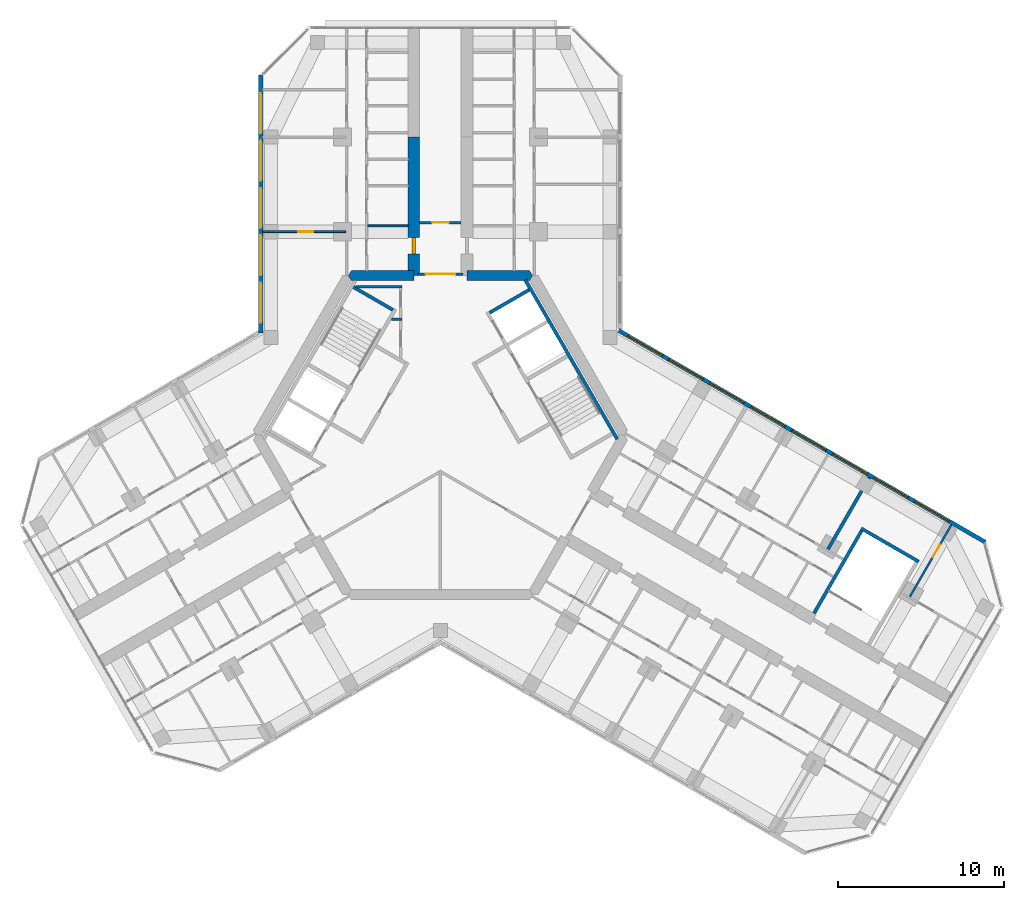
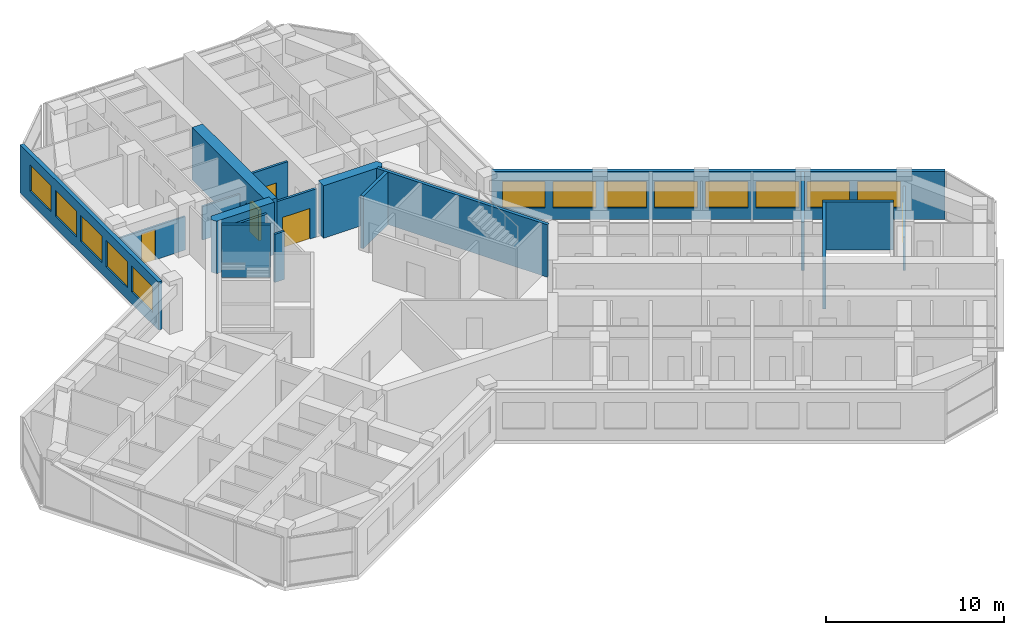
# One storey, part 13 of 16: 18 walls, 13 windows, 5 doors, 18 openings.
"""IFC4 building model written with IfcOpenShell, lengths in metres."""

import ifcopenshell
import ifcopenshell.guid

model = None  # the IFC model being written
_history = None  # IfcOwnerHistory: only IFC2X3 demands one
_inside = {}  # id of a spatial element -> (the spatial element, [elements in it])
_under = {}  # id of a project, library or spatial element -> (it, [spatial elements below it])
_declared = {}  # id of a project -> (the project, [libraries it declares])
_typed = {}  # id of a type object -> (the type object, [elements of that type])
_made_of = {}  # id of a material, layer set ... -> (it, [elements and type objects made of it])


def new_model(schema):
    """Start an empty IFC model of exactly this schema.

    Asked for "IFC4X3", IfcOpenShell would pick the latest addendum, in which some entities
    have other attributes; the version numbers below select the first issue.
    IFC2X3 requires an IfcOwnerHistory on every rooted entity: one is made here for all.
    """
    global model, _history
    if schema == "IFC4X3":
        model = ifcopenshell.file(schema_version=(4, 3, 0, 0))
    else:
        model = ifcopenshell.file(schema=schema)
    _inside.clear()
    _under.clear()
    _declared.clear()
    _typed.clear()
    _made_of.clear()
    _history = None
    if model.schema == "IFC2X3":
        org = make("IfcOrganization", Name="unknown")
        user = make(
            "IfcPersonAndOrganization",
            ThePerson=make("IfcPerson", FamilyName="unknown"),
            TheOrganization=org,
        )
        app = make(
            "IfcApplication",
            ApplicationDeveloper=org,
            Version="unknown",
            ApplicationFullName="unknown",
            ApplicationIdentifier="unknown",
        )
        _history = make(
            "IfcOwnerHistory",
            OwningUser=user,
            OwningApplication=app,
            ChangeAction="ADDED",
            CreationDate=0,
        )
    return model


def make(cls, **values):
    """One entity of the class cls with the attributes given. An attribute that is None is left unset."""
    return model.create_entity(
        cls, **{name: value for name, value in values.items() if value is not None}
    )


def rooted(cls, **values):
    """An entity with a GlobalId (a new one), such as an element, a storey or a relation."""
    return make(cls, GlobalId=ifcopenshell.guid.new(), OwnerHistory=_history, **values)


def si_unit(unit_type, name, prefix=None):
    """IfcSIUnit, for example si_unit("LENGTHUNIT", "METRE", prefix="MILLI")."""
    return make("IfcSIUnit", UnitType=unit_type, Prefix=prefix, Name=name)


def assignment(units):
    """IfcUnitAssignment: the units of a project."""
    return None if units is None else make("IfcUnitAssignment", Units=units)


def point(xyz):
    """IfcCartesianPoint."""
    return None if xyz is None else make("IfcCartesianPoint", Coordinates=xyz)


def direction(xyz):
    """IfcDirection."""
    return None if xyz is None else make("IfcDirection", DirectionRatios=xyz)


def frame(location, z_axis=None, x_axis=None):
    """IfcAxis2Placement3D, a coordinate frame: its origin and axes. An axis left out is left unset."""
    return make(
        "IfcAxis2Placement3D",
        Location=point(location),
        Axis=direction(z_axis),
        RefDirection=direction(x_axis),
    )


def frame_2d(location, x_axis=None):
    """IfcAxis2Placement2D, a coordinate frame in the plane: its origin and x axis."""
    return make(
        "IfcAxis2Placement2D", Location=point(location), RefDirection=direction(x_axis)
    )


def origin():
    """The frame at (0, 0, 0) with its axes left unset."""
    return frame((0.0, 0.0, 0.0))


def place(relative_to, where):
    """IfcLocalPlacement: puts the frame where relative to a parent placement (None: the world)."""
    return make(
        "IfcLocalPlacement", PlacementRelTo=relative_to, RelativePlacement=where
    )


def context(
    kind, dimensions, precision=None, world=None, true_north=None, identifier=None
):
    """IfcGeometricRepresentationContext, for example the 3D "Model" context."""
    return make(
        "IfcGeometricRepresentationContext",
        ContextIdentifier=identifier,
        ContextType=kind,
        CoordinateSpaceDimension=dimensions,
        Precision=precision,
        WorldCoordinateSystem=world,
        TrueNorth=true_north,
    )


def subcontext(parent, identifier, kind, view, scale=None):
    """IfcGeometricRepresentationSubContext, for example "Body" below "Model"."""
    return make(
        "IfcGeometricRepresentationSubContext",
        ContextIdentifier=identifier,
        ContextType=kind,
        ParentContext=parent,
        TargetScale=scale,
        TargetView=view,
    )


def project(units=None, contexts=None):
    """IfcProject with its units and contexts."""
    return rooted(
        "IfcProject",
        Name="project",
        RepresentationContexts=contexts,
        UnitsInContext=assignment(units),
    )


def spatial(cls, under=None, at=None, **own):
    """A site, building, storey or space (cls), placed at a placement, below another one or the project."""
    s = rooted(cls, ObjectPlacement=at, **own)
    if under is not None:
        _under.setdefault(under.id(), (under, []))[1].append(s)
    return s


def polyline(points):
    """IfcPolyline through the points."""
    return make("IfcPolyline", Points=[point(p) for p in points])


def profile(cls, at=None, kind="AREA", **sizes):
    """A parametric profile (cls). Its sizes go by their IFC names, for example OverallWidth=200.0."""
    return make(cls, ProfileType=kind, Position=at, **sizes)


def rectangle(**sizes):
    """IfcRectangleProfileDef."""
    return profile("IfcRectangleProfileDef", **sizes)


def outline(outer, holes=None, kind="AREA"):
    """IfcArbitraryClosedProfileDef: a profile drawn as a closed curve; with holes, ...WithVoids."""
    if holes is None:
        return make("IfcArbitraryClosedProfileDef", ProfileType=kind, OuterCurve=outer)
    return make(
        "IfcArbitraryProfileDefWithVoids",
        ProfileType=kind,
        OuterCurve=outer,
        InnerCurves=holes,
    )


def extrude(swept, where, along, depth):
    """IfcExtrudedAreaSolid: the profile swept, set in the frame where, extruded along a direction by depth."""
    return make(
        "IfcExtrudedAreaSolid",
        SweptArea=swept,
        Position=where,
        ExtrudedDirection=direction(along),
        Depth=depth,
    )


def shape(context_of_items, identifier, shape_type, items):
    """IfcShapeRepresentation: the items that make up one representation, for example the "Body"."""
    return make(
        "IfcShapeRepresentation",
        ContextOfItems=context_of_items,
        RepresentationIdentifier=identifier,
        RepresentationType=shape_type,
        Items=items,
    )


def material(Name=None, Category=None):
    """IfcMaterial."""
    return make("IfcMaterial", Name=Name, Category=Category)


def layer(
    of_material, thickness, ventilated=None, Name=None, Category=None, Priority=None
):
    """IfcMaterialLayer: one layer of a wall or slab, of a material (None: an air gap)."""
    return make(
        "IfcMaterialLayer",
        Material=of_material,
        LayerThickness=thickness,
        IsVentilated=ventilated,
        Name=Name,
        Category=Category,
        Priority=Priority,
    )


def layer_set(layers, Name=None):
    """IfcMaterialLayerSet."""
    return make("IfcMaterialLayerSet", MaterialLayers=layers, LayerSetName=Name)


def made_of(thing, what):
    """Note that an element or type object is made of a material, layer set ...; save() writes the relation."""
    if what is not None:
        _made_of.setdefault(what.id(), (what, []))[1].append(thing)
    return thing


def type_object(cls, material=None, **own):
    """A type object (cls), such as IfcWallType, which elements share."""
    return made_of(rooted(cls, **own), material)


def element(
    cls,
    number,
    at=None,
    inside=None,
    cuts=None,
    type_object=None,
    material=None,
    context=None,
    identifier="Body",
    shape_type=None,
    held_by="IfcProductDefinitionShape",
    body=None,
    shapes=None,
    **own,
):
    """One element of the class cls, such as IfcWall. Its Tag is "e" and its number.

    at: its placement. inside: the storey or other place that contains it. cuts: it is an
    opening in that element (IfcRelVoidsElement). A single representation is given by context,
    identifier, shape_type and body (its items); several are given by shapes. held_by: the class
    of the entity that holds the representations. save() writes the other relations.
    """
    e = rooted(cls, Tag="e%d" % number, ObjectPlacement=at, **own)
    if body is not None:
        shapes = [shape(context, identifier, shape_type, body)]
    if shapes is not None:
        e.Representation = make(held_by, Representations=shapes)
    if inside is not None:
        _inside.setdefault(inside.id(), (inside, []))[1].append(e)
    if cuts is not None:
        rooted(
            "IfcRelVoidsElement", RelatingBuildingElement=cuts, RelatedOpeningElement=e
        )
    if type_object is not None:
        _typed.setdefault(type_object.id(), (type_object, []))[1].append(e)
    return made_of(e, material)


def fill(opening, filler):
    """IfcRelFillsElement: the door or window that sits in an opening."""
    return rooted(
        "IfcRelFillsElement",
        RelatingOpeningElement=opening,
        RelatedBuildingElement=filler,
    )


def aggregate(whole, parts):
    """IfcRelAggregates: a whole, such as a stair, and the parts it consists of."""
    return rooted("IfcRelAggregates", RelatingObject=whole, RelatedObjects=parts)


def save(model, path):
    """Write the relations noted so far, then the file.

    IfcRelAggregates (storeys below a building ...), IfcRelContainedInSpatialStructure (elements
    in a storey), IfcRelDefinesByType, IfcRelAssociatesMaterial and IfcRelDeclares: one each for
    every whole, place, type object, material and project.
    """
    for whole, parts in _under.values():
        aggregate(whole, parts)
    for where, things in _inside.values():
        rooted(
            "IfcRelContainedInSpatialStructure",
            RelatedElements=things,
            RelatingStructure=where,
        )
    for kind, things in _typed.values():
        rooted("IfcRelDefinesByType", RelatedObjects=things, RelatingType=kind)
    for what, things in _made_of.values():
        rooted("IfcRelAssociatesMaterial", RelatedObjects=things, RelatingMaterial=what)
    for by, libraries in _declared.values():
        rooted("IfcRelDeclares", RelatingContext=by, RelatedDefinitions=libraries)
    model.write(path)


model = new_model("IFC4")

# Units and contexts
model_context = context("Model", 3, precision=1e-05, world=origin(), true_north=direction((0.0, 1.0)))
body_context = subcontext(model_context, "Body", "Model", "MODEL_VIEW")
ifc_project = project(units=[si_unit("LENGTHUNIT", "METRE"), si_unit("AREAUNIT", "SQUARE_METRE"), si_unit("VOLUMEUNIT", "CUBIC_METRE"), si_unit("PLANEANGLEUNIT", "RADIAN"), si_unit("MASSUNIT", "GRAM", prefix="KILO")], contexts=[model_context])

# Site, building, storey
site_placement = place(None, origin())
site = spatial("IfcSite", under=ifc_project, at=site_placement, CompositionType="ELEMENT")
building_placement = place(site_placement, origin())
building = spatial("IfcBuilding", under=site, at=building_placement, Name="Kosmar Iwan School Tower", CompositionType="ELEMENT")
storey_placement = place(building_placement, frame((0.0, 0.0, 256.800048828125)))
storey = spatial("IfcBuildingStorey", under=building, at=storey_placement, Name="L65", CompositionType="ELEMENT", Elevation=256.800048828125)

# Walls
ifc_material_1 = material(Name="Gypsum board on steel studs, fire-rated", Category="steel")
ifc_layer_1 = layer(ifc_material_1, 0.14990234375)
ifc_layer_set_1 = layer_set([ifc_layer_1], Name="Core room partition 150")
wall_type_1 = type_object("IfcWallType", Name="Core room partition 150", PredefinedType="PARTITIONING", material=ifc_layer_set_1)
wall_1_placement = place(storey_placement, frame((-2.324951171875, 6.985107421875, 0.0), z_axis=(0.0, 0.0, 1.0), x_axis=(-1.0, 0.0, 0.0)))
element("IfcWall", 1, at=wall_1_placement, inside=storey, type_object=wall_type_1, Name="Core room partition L65-CW2", PredefinedType="PARTITIONING", context=body_context, shape_type="SweptSolid", body=[
    extrude(rectangle(XDim=0.623779296875, YDim=0.14990234375, at=frame_2d((0.31201171875, 0.0))), origin(), (0.0, 0.0, 1.0), 3.300048828125),
])
wall_2_placement = place(storey_placement, frame((-5.089599609375, 8.93994140625, 0.0), z_axis=(0.0, 0.0, 1.0), x_axis=(1.0, 0.0, 0.0)))
element("IfcWall", 2, at=wall_2_placement, inside=storey, type_object=wall_type_1, Name="Core room partition L65-CW3", PredefinedType="PARTITIONING", context=body_context, shape_type="SweptSolid", body=[
    extrude(rectangle(XDim=2.7646484375, YDim=0.14990234375, at=frame_2d((1.38232421875, 0.0))), origin(), (0.0, 0.0, 1.0), 3.300048828125),
])
ifc_material_2 = material(Name="Concrete C50/60", Category="concrete")
ifc_layer_2 = layer(ifc_material_2, 0.60009765625)
ifc_layer_set_2 = layer_set([ifc_layer_2], Name="Core wall 600")
wall_type_2 = type_object("IfcWallType", Name="Core wall 600", PredefinedType="SHEAR", material=ifc_layer_set_2)
wall_3_placement = place(storey_placement, origin())
element("IfcWall", 3, at=wall_3_placement, inside=storey, type_object=wall_type_2, Name="Core wall F090a", PredefinedType="SHEAR", context=body_context, shape_type="SweptSolid", body=[
    extrude(outline(polyline([(1.60009765625, 9.300048828125), (5.369384765625, 9.300048828125), (5.54248046875, 9.60009765625), (5.369384765625, 9.89990234375), (1.60009765625, 9.89990234375), (1.60009765625, 9.300048828125)])), origin(), (0.0, 0.0, 1.0), 3.599853515625),
])
wall_4_placement = place(storey_placement, origin())
element("IfcWall", 4, at=wall_4_placement, inside=storey, type_object=wall_type_2, Name="Core wall F090b", PredefinedType="SHEAR", context=body_context, shape_type="SweptSolid", body=[
    extrude(outline(polyline([(-5.369384765625, 9.300048828125), (-1.60009765625, 9.300048828125), (-1.60009765625, 9.89990234375), (-5.369384765625, 9.89990234375), (-5.54248046875, 9.60009765625), (-5.369384765625, 9.300048828125)])), origin(), (0.0, 0.0, 1.0), 3.599853515625),
])

# Wall, opening, door
ifc_material_3 = material(Name="Concrete C50/60", Category="concrete")
ifc_layer_3 = layer(ifc_material_3, 0.699951171875)
ifc_layer_set_3 = layer_set([ifc_layer_3], Name="Corridor buttress wall 700")
wall_type_3 = type_object("IfcWallType", Name="Corridor buttress wall 700", PredefinedType="SHEAR", material=ifc_layer_set_3)
wall_5_placement = place(storey_placement, frame((-1.60009765625, 9.60009765625, 0.0), z_axis=(0.0, 0.0, 1.0), x_axis=(0.0, 1.0, 0.0)))
wall_5 = element("IfcWall", 5, at=wall_5_placement, inside=storey, type_object=wall_type_3, Name="Corridor wall AL", PredefinedType="SHEAR", context=body_context, shape_type="SweptSolid", body=[
    extrude(rectangle(XDim=8.349853515625, YDim=0.699951171875, at=frame_2d((4.1748046875, 0.0))), origin(), (0.0, 0.0, 1.0), 3.599853515625),
])
opening_1_placement = place(wall_5_placement, frame((1.300048828125, 0.0, 0.0)))
opening_1 = element("IfcOpeningElement", 6, at=opening_1_placement, cuts=wall_5, Name="Opening D1", PredefinedType="OPENING", context=body_context, shape_type="SweptSolid", body=[
    extrude(rectangle(XDim=1.0, YDim=2.10009765625, at=frame_2d((0.5, 1.050048828125))), frame((0.0, 0.362060546875, 0.0), z_axis=(0.0, -1.0, 0.0), x_axis=(1.0, 0.0, 0.0)), (0.0, 0.0, 1.0), 0.723876953125),
])
ifc_material_4 = material(Name="Timber fire door in steel frame", Category="steel")
door_type_1 = type_object("IfcDoorType", Name="Flat entrance door 1000x2100", OperationType="SINGLE_SWING_LEFT", PredefinedType="DOOR", material=ifc_material_4)
door_1_placement = place(opening_1_placement, origin())
door_1 = element("IfcDoor", 7, at=door_1_placement, inside=storey, type_object=door_type_1, Name="Flat L65-AL1 entrance door", OperationType="SINGLE_SWING_RIGHT", OverallHeight=2.10009765625, OverallWidth=1.0, PredefinedType="DOOR", context=body_context, shape_type="SweptSolid", body=[
    extrude(rectangle(XDim=1.0, YDim=2.10009765625, at=frame_2d((0.5, 1.050048828125))), frame((0.0, 0.10009765625, 0.0), z_axis=(0.0, -1.0, 0.0), x_axis=(1.0, 0.0, 0.0)), (0.0, 0.0, 1.0), 0.199951171875),
])
fill(opening_1, door_1)

ifc_material_5 = material(Name="Gypsum board on steel studs, fire-rated", Category="steel")
ifc_layer_4 = layer(ifc_material_5, 0.14990234375)
ifc_layer_set_4 = layer_set([ifc_layer_4], Name="Corridor end wall 150")
wall_type_4 = type_object("IfcWallType", Name="Corridor end wall 150", PredefinedType="PARTITIONING", material=ifc_layer_set_4)
wall_6_placement = place(storey_placement, frame((1.25, 12.800048828125, 0.0), z_axis=(0.0, 0.0, 1.0), x_axis=(-1.0, 0.0, 0.0)))
wall_6 = element("IfcWall", 8, at=wall_6_placement, inside=storey, type_object=wall_type_4, Name="Partition L65-A-CE", PredefinedType="PARTITIONING", context=body_context, shape_type="SweptSolid", body=[
    extrude(rectangle(XDim=2.5, YDim=0.14990234375, at=frame_2d((1.25, 0.0))), origin(), (0.0, 0.0, 1.0), 3.300048828125),
])
opening_2_placement = place(wall_6_placement, frame((0.75, 0.0, 0.0)))
opening_2 = element("IfcOpeningElement", 9, at=opening_2_placement, cuts=wall_6, Name="Opening D13", PredefinedType="OPENING", context=body_context, shape_type="SweptSolid", body=[
    extrude(rectangle(XDim=1.0, YDim=2.10009765625, at=frame_2d((0.5, 1.050048828125))), frame((0.0, 0.0869140625, 0.0), z_axis=(0.0, -1.0, 0.0), x_axis=(1.0, 0.0, 0.0)), (0.0, 0.0, 1.0), 0.173828125),
])
ifc_material_6 = material(Name="Timber fire door with vision panel", Category="wood")
door_type_2 = type_object("IfcDoorType", Name="Corridor end door 1000x2100", OperationType="SINGLE_SWING_LEFT", PredefinedType="DOOR", material=ifc_material_6)
door_2_placement = place(opening_2_placement, origin())
door_2 = element("IfcDoor", 10, at=door_2_placement, inside=storey, type_object=door_type_2, Name="Reading room door L65-A", OperationType="SINGLE_SWING_RIGHT", OverallHeight=2.10009765625, OverallWidth=1.0, PredefinedType="DOOR", context=body_context, shape_type="SweptSolid", body=[
    extrude(rectangle(XDim=1.0, YDim=2.10009765625, at=frame_2d((0.5, 1.050048828125))), frame((0.0, 0.02490234375, 0.0), z_axis=(0.0, -1.0, 0.0), x_axis=(1.0, 0.0, 0.0)), (0.0, 0.0, 1.0), 0.050048828125),
])
fill(opening_2, door_2)

ifc_material_7 = material(Name="Steel framed glazed screen", Category="steel")
ifc_layer_5 = layer(ifc_material_7, 0.14990234375)
ifc_layer_set_5 = layer_set([ifc_layer_5], Name="Corridor screen wall 150")
wall_type_5 = type_object("IfcWallType", Name="Corridor screen wall 150", PredefinedType="PARTITIONING", material=ifc_layer_set_5)
wall_7_placement = place(storey_placement, frame((1.35009765625, 9.699951171875, 0.0), z_axis=(0.0, 0.0, 1.0), x_axis=(-1.0, 0.0, 0.0)))
wall_7 = element("IfcWall", 11, at=wall_7_placement, inside=storey, type_object=wall_type_5, Name="Corridor screen A L65", PredefinedType="PARTITIONING", context=body_context, shape_type="SweptSolid", body=[
    extrude(rectangle(XDim=2.7001953125, YDim=0.14990234375, at=frame_2d((1.35009765625, 0.0))), origin(), (0.0, 0.0, 1.0), 3.300048828125),
])
opening_3_placement = place(wall_7_placement, frame((0.449951171875, 0.0, 0.0)))
opening_3 = element("IfcOpeningElement", 12, at=opening_3_placement, cuts=wall_7, Name="Opening D9", PredefinedType="OPENING", context=body_context, shape_type="SweptSolid", body=[
    extrude(rectangle(XDim=1.800048828125, YDim=2.10009765625, at=frame_2d((0.89990234375, 1.050048828125))), frame((0.0, 0.0869140625, 0.0), z_axis=(0.0, -1.0, 0.0), x_axis=(1.0, 0.0, 0.0)), (0.0, 0.0, 1.0), 0.173828125),
])
ifc_material_8 = material(Name="Steel framed glazed smoke door", Category="steel")
door_type_3 = type_object("IfcDoorType", Name="Corridor smoke door pair 1800x2100", OperationType="DOUBLE_DOOR_DOUBLE_SWING", PredefinedType="DOOR", material=ifc_material_8)
door_3_placement = place(opening_3_placement, origin())
door_3 = element("IfcDoor", 13, at=door_3_placement, inside=storey, type_object=door_type_3, Name="Corridor doors A L65", OperationType="DOUBLE_DOOR_DOUBLE_SWING", OverallHeight=2.10009765625, OverallWidth=1.800048828125, PredefinedType="DOOR", context=body_context, shape_type="SweptSolid", body=[
    extrude(rectangle(XDim=1.800048828125, YDim=2.10009765625, at=frame_2d((0.89990234375, 1.050048828125))), frame((0.0, 0.02490234375, 0.0), z_axis=(0.0, -1.0, 0.0), x_axis=(1.0, 0.0, 0.0)), (0.0, 0.0, 1.0), 0.050048828125),
])
fill(opening_3, door_3)

ifc_material_9 = material(Name="Gypsum board on steel studs", Category="steel")
ifc_layer_6 = layer(ifc_material_9, 0.1201171875)
ifc_layer_set_6 = layer_set([ifc_layer_6], Name="Dwelling partition 120")
wall_type_6 = type_object("IfcWallType", Name="Dwelling partition 120", PredefinedType="PARTITIONING", material=ifc_layer_set_6)
wall_8_placement = place(storey_placement, frame((-5.7099609375, 12.25, 0.0), z_axis=(0.0, 0.0, 1.0), x_axis=(-1.0, 0.0, 0.0)))
wall_8 = element("IfcWall", 14, at=wall_8_placement, inside=storey, type_object=wall_type_6, Name="Partition L65-AL1-X1", PredefinedType="PARTITIONING", context=body_context, shape_type="SweptSolid", body=[
    extrude(rectangle(XDim=4.989990234375, YDim=0.1201171875, at=frame_2d((2.4951171875, 0.0))), origin(), (0.0, 0.0, 1.0), 2.300048828125),
])
opening_4_placement = place(wall_8_placement, frame((1.93994140625, 0.0, 0.0)))
opening_4 = element("IfcOpeningElement", 15, at=opening_4_placement, cuts=wall_8, Name="Opening D2", PredefinedType="OPENING", context=body_context, shape_type="SweptSolid", body=[
    extrude(rectangle(XDim=0.89990234375, YDim=2.10009765625, at=frame_2d((0.449951171875, 1.050048828125))), frame((0.0, 0.072021484375, 0.0), z_axis=(0.0, -1.0, 0.0), x_axis=(1.0, 0.0, 0.0)), (0.0, 0.0, 1.0), 0.14404296875),
])
ifc_material_10 = material(Name="Timber door in timber frame", Category="wood")
door_type_4 = type_object("IfcDoorType", Name="Internal door 900x2100", OperationType="SINGLE_SWING_LEFT", PredefinedType="DOOR", material=ifc_material_10)
door_4_placement = place(opening_4_placement, origin())
door_4 = element("IfcDoor", 16, at=door_4_placement, inside=storey, type_object=door_type_4, Name="Kitchen and dining room door L65-AL1-F1", OperationType="SINGLE_SWING_LEFT", OverallHeight=2.10009765625, OverallWidth=0.89990234375, PredefinedType="DOOR", context=body_context, shape_type="SweptSolid", body=[
    extrude(rectangle(XDim=0.89990234375, YDim=2.10009765625, at=frame_2d((0.449951171875, 1.050048828125))), frame((0.0, 0.02490234375, 0.0), z_axis=(0.0, -1.0, 0.0), x_axis=(1.0, 0.0, 0.0)), (0.0, 0.0, 1.0), 0.050048828125),
])
fill(opening_4, door_4)

# Wall
wall_9_placement = place(storey_placement, frame((-1.949951171875, 12.60009765625, 0.0), z_axis=(0.0, 0.0, 1.0), x_axis=(-1.0, 0.0, 0.0)))
element("IfcWall", 17, at=wall_9_placement, inside=storey, type_object=wall_type_6, Name="Partition L65-AL1-Y1", PredefinedType="PARTITIONING", context=body_context, shape_type="SweptSolid", body=[
    extrude(rectangle(XDim=2.43994140625, YDim=0.1201171875, at=frame_2d((1.219970703125, 0.0))), origin(), (0.0, 0.0, 1.0), 2.300048828125),
])

# Wall, opening, door
wall_10_placement = place(storey_placement, frame((28.27294921875, -9.72998046875, 0.0), z_axis=(0.0, 0.0, 1.0), x_axis=(0.499975153383, 0.86603974851, 0.0)))
wall_10 = element("IfcWall", 18, at=wall_10_placement, inside=storey, type_object=wall_type_6, Name="Partition L65-CL3-TX", PredefinedType="PARTITIONING", context=body_context, shape_type="SweptSolid", body=[
    extrude(rectangle(XDim=4.989990234375, YDim=0.1201171875, at=frame_2d((2.4951171875, 0.0))), origin(), (0.0, 0.0, 1.0), 2.300048828125),
])
opening_5_placement = place(wall_10_placement, frame((2.739990234375, 0.0, 0.0)))
opening_5 = element("IfcOpeningElement", 19, at=opening_5_placement, cuts=wall_10, Name="Opening D2", PredefinedType="OPENING", context=body_context, shape_type="SweptSolid", body=[
    extrude(rectangle(XDim=0.89990234375, YDim=2.10009765625, at=frame_2d((0.449951171875, 1.050048828125))), frame((0.0, 0.072021484375, 0.0), z_axis=(0.0, -1.0, 0.0), x_axis=(1.0, 0.0, 0.0)), (0.0, 0.0, 1.0), 0.14404296875),
])
door_5_placement = place(opening_5_placement, origin())
door_5 = element("IfcDoor", 20, at=door_5_placement, inside=storey, type_object=door_type_4, Name="Bedroom 1 door L65-CL3-T1", OperationType="SINGLE_SWING_RIGHT", OverallHeight=2.10009765625, OverallWidth=0.89990234375, PredefinedType="DOOR", context=body_context, shape_type="SweptSolid", body=[
    extrude(rectangle(XDim=0.89990234375, YDim=2.10009765625, at=frame_2d((0.449951171875, 1.050048828125))), frame((0.0, 0.02490234375, 0.0), z_axis=(0.0, -1.0, 0.0), x_axis=(1.0, 0.0, 0.0)), (0.0, 0.0, 1.0), 0.050048828125),
])
fill(opening_5, door_5)

# Walls
ifc_material_11 = material(Name="Concrete C35/45", Category="concrete")
ifc_layer_7 = layer(ifc_material_11, 0.199951171875)
ifc_layer_set_7 = layer_set([ifc_layer_7], Name="Escape stair wall 200")
wall_type_7 = type_object("IfcWallType", Name="Escape stair wall 200", PredefinedType="SHEAR", material=ifc_layer_set_7)
wall_11_placement = place(storey_placement, frame((22.49560546875, -10.736328125, 0.0), z_axis=(0.0, 0.0, 1.0), x_axis=(0.500013701029, 0.866017493347, 0.0)))
element("IfcWall", 21, at=wall_11_placement, inside=storey, type_object=wall_type_7, Name="Stair WS3 wall", PredefinedType="SHEAR", context=body_context, shape_type="SweptSolid", body=[
    extrude(rectangle(XDim=5.949951171875, YDim=0.199951171875, at=frame_2d((2.97509765625, 0.0))), origin(), (0.0, 0.0, 1.0), 3.280029296875),
])
wall_12_placement = place(storey_placement, frame((25.334228515625, -5.6201171875, 0.0), z_axis=(0.0, 0.0, 1.0), x_axis=(0.866026010844, -0.49999894854, 0.0)))
element("IfcWall", 22, at=wall_12_placement, inside=storey, type_object=wall_type_7, Name="Stair WS3 wall", PredefinedType="SHEAR", context=body_context, shape_type="SweptSolid", body=[
    extrude(rectangle(XDim=4.0, YDim=0.199951171875, at=frame_2d((2.0, 0.0))), origin(), (0.0, 0.0, 1.0), 3.280029296875),
])

# Wall, openings, windows
ifc_material_12 = material(Name="Black aluminium rainscreen on insulated framing", Category="aluminium")
ifc_layer_8 = layer(ifc_material_12, 0.25)
ifc_layer_set_8 = layer_set([ifc_layer_8], Name="External wall rainscreen 250")
wall_type_8 = type_object("IfcWallType", Name="External wall rainscreen 250", PredefinedType="SOLIDWALL", material=ifc_layer_set_8)
wall_13_placement = place(storey_placement, frame((10.73681640625, 6.30078125, 0.0), z_axis=(0.0, 0.0, 1.0), x_axis=(0.866026390279, -0.499998291337, 0.0)))
wall_13 = element("IfcWall", 23, at=wall_13_placement, inside=storey, type_object=wall_type_8, Name="External wall CL L65", PredefinedType="SOLIDWALL", context=body_context, shape_type="SweptSolid", body=[
    extrude(rectangle(XDim=25.4873046875, YDim=0.25, at=frame_2d((12.74365234375, 0.0))), origin(), (0.0, 0.0, 1.0), 3.300048828125),
])
opening_6_placement = place(wall_13_placement, frame((0.626953125, 0.0, 0.800048828125)))
opening_6 = element("IfcOpeningElement", 24, at=opening_6_placement, cuts=wall_13, Name="Opening W5", PredefinedType="OPENING", context=body_context, shape_type="SweptSolid", body=[
    extrude(rectangle(XDim=2.39990234375, YDim=1.800048828125, at=frame_2d((1.199951171875, 0.89990234375))), frame((0.0, 0.136962890625, 0.0), z_axis=(0.0, -1.0, 0.0), x_axis=(1.0, 0.0, 0.0)), (0.0, 0.0, 1.0), 0.27392578125),
])
opening_7_placement = place(wall_13_placement, frame((3.47705078125, 0.0, 0.800048828125)))
opening_7 = element("IfcOpeningElement", 25, at=opening_7_placement, cuts=wall_13, Name="Opening W5", PredefinedType="OPENING", context=body_context, shape_type="SweptSolid", body=[
    extrude(rectangle(XDim=2.39990234375, YDim=1.800048828125, at=frame_2d((1.199951171875, 0.89990234375))), frame((0.0, 0.136962890625, 0.0), z_axis=(0.0, -1.0, 0.0), x_axis=(1.0, 0.0, 0.0)), (0.0, 0.0, 1.0), 0.27392578125),
])
opening_8_placement = place(wall_13_placement, frame((6.326904296875, 0.0, 0.800048828125)))
opening_8 = element("IfcOpeningElement", 26, at=opening_8_placement, cuts=wall_13, Name="Opening W5", PredefinedType="OPENING", context=body_context, shape_type="SweptSolid", body=[
    extrude(rectangle(XDim=2.39990234375, YDim=1.800048828125, at=frame_2d((1.199951171875, 0.89990234375))), frame((0.0, 0.136962890625, 0.0), z_axis=(0.0, -1.0, 0.0), x_axis=(1.0, 0.0, 0.0)), (0.0, 0.0, 1.0), 0.27392578125),
])
opening_9_placement = place(wall_13_placement, frame((9.177001953125, 0.0, 0.800048828125)))
opening_9 = element("IfcOpeningElement", 27, at=opening_9_placement, cuts=wall_13, Name="Opening W5", PredefinedType="OPENING", context=body_context, shape_type="SweptSolid", body=[
    extrude(rectangle(XDim=2.39990234375, YDim=1.800048828125, at=frame_2d((1.199951171875, 0.89990234375))), frame((0.0, 0.136962890625, 0.0), z_axis=(0.0, -1.0, 0.0), x_axis=(1.0, 0.0, 0.0)), (0.0, 0.0, 1.0), 0.27392578125),
])
opening_10_placement = place(wall_13_placement, frame((12.027099609375, 0.0, 0.800048828125)))
opening_10 = element("IfcOpeningElement", 28, at=opening_10_placement, cuts=wall_13, Name="Opening W5", PredefinedType="OPENING", context=body_context, shape_type="SweptSolid", body=[
    extrude(rectangle(XDim=2.39990234375, YDim=1.800048828125, at=frame_2d((1.199951171875, 0.89990234375))), frame((0.0, 0.136962890625, 0.0), z_axis=(0.0, -1.0, 0.0), x_axis=(1.0, 0.0, 0.0)), (0.0, 0.0, 1.0), 0.27392578125),
])
opening_11_placement = place(wall_13_placement, frame((14.876953125, 0.0, 0.800048828125)))
opening_11 = element("IfcOpeningElement", 29, at=opening_11_placement, cuts=wall_13, Name="Opening W5", PredefinedType="OPENING", context=body_context, shape_type="SweptSolid", body=[
    extrude(rectangle(XDim=2.39990234375, YDim=1.800048828125, at=frame_2d((1.199951171875, 0.89990234375))), frame((0.0, 0.136962890625, 0.0), z_axis=(0.0, -1.0, 0.0), x_axis=(1.0, 0.0, 0.0)), (0.0, 0.0, 1.0), 0.27392578125),
])
opening_12_placement = place(wall_13_placement, frame((17.72705078125, 0.0, 0.800048828125)))
opening_12 = element("IfcOpeningElement", 30, at=opening_12_placement, cuts=wall_13, Name="Opening W5", PredefinedType="OPENING", context=body_context, shape_type="SweptSolid", body=[
    extrude(rectangle(XDim=2.39990234375, YDim=1.800048828125, at=frame_2d((1.199951171875, 0.89990234375))), frame((0.0, 0.136962890625, 0.0), z_axis=(0.0, -1.0, 0.0), x_axis=(1.0, 0.0, 0.0)), (0.0, 0.0, 1.0), 0.27392578125),
])
opening_13_placement = place(wall_13_placement, frame((20.576904296875, 0.0, 0.800048828125)))
opening_13 = element("IfcOpeningElement", 31, at=opening_13_placement, cuts=wall_13, Name="Opening W5", PredefinedType="OPENING", context=body_context, shape_type="SweptSolid", body=[
    extrude(rectangle(XDim=2.39990234375, YDim=1.800048828125, at=frame_2d((1.199951171875, 0.89990234375))), frame((0.0, 0.136962890625, 0.0), z_axis=(0.0, -1.0, 0.0), x_axis=(1.0, 0.0, 0.0)), (0.0, 0.0, 1.0), 0.27392578125),
])
ifc_material_13 = material(Name="Black aluminium frame with dark triple glazing", Category="aluminium")
window_type = type_object("IfcWindowType", Name="Window 2400x1800", PartitioningType="SINGLE_PANEL", PredefinedType="WINDOW", material=ifc_material_13)
window_1_placement = place(opening_6_placement, origin())
window_1 = element("IfcWindow", 32, at=window_1_placement, inside=storey, type_object=window_type, Name="Window CL L65 -1", OverallHeight=1.800048828125, OverallWidth=2.39990234375, PartitioningType="SINGLE_PANEL", PredefinedType="WINDOW", context=body_context, shape_type="SweptSolid", body=[
    extrude(rectangle(XDim=2.39990234375, YDim=1.800048828125, at=frame_2d((1.199951171875, 0.89990234375))), frame((0.0, 0.030029296875, 0.0), z_axis=(0.0, -1.0, 0.0), x_axis=(1.0, 0.0, 0.0)), (0.0, 0.0, 1.0), 0.06005859375),
])
fill(opening_6, window_1)
window_2_placement = place(opening_7_placement, origin())
window_2 = element("IfcWindow", 33, at=window_2_placement, inside=storey, type_object=window_type, Name="Window CL L65 0", OverallHeight=1.800048828125, OverallWidth=2.39990234375, PartitioningType="SINGLE_PANEL", PredefinedType="WINDOW", context=body_context, shape_type="SweptSolid", body=[
    extrude(rectangle(XDim=2.39990234375, YDim=1.800048828125, at=frame_2d((1.199951171875, 0.89990234375))), frame((0.0, 0.030029296875, 0.0), z_axis=(0.0, -1.0, 0.0), x_axis=(1.0, 0.0, 0.0)), (0.0, 0.0, 1.0), 0.06005859375),
])
fill(opening_7, window_2)
window_3_placement = place(opening_8_placement, origin())
window_3 = element("IfcWindow", 34, at=window_3_placement, inside=storey, type_object=window_type, Name="Window CL L65 1", OverallHeight=1.800048828125, OverallWidth=2.39990234375, PartitioningType="SINGLE_PANEL", PredefinedType="WINDOW", context=body_context, shape_type="SweptSolid", body=[
    extrude(rectangle(XDim=2.39990234375, YDim=1.800048828125, at=frame_2d((1.199951171875, 0.89990234375))), frame((0.0, 0.030029296875, 0.0), z_axis=(0.0, -1.0, 0.0), x_axis=(1.0, 0.0, 0.0)), (0.0, 0.0, 1.0), 0.06005859375),
])
fill(opening_8, window_3)
window_4_placement = place(opening_9_placement, origin())
window_4 = element("IfcWindow", 35, at=window_4_placement, inside=storey, type_object=window_type, Name="Window CL L65 2", OverallHeight=1.800048828125, OverallWidth=2.39990234375, PartitioningType="SINGLE_PANEL", PredefinedType="WINDOW", context=body_context, shape_type="SweptSolid", body=[
    extrude(rectangle(XDim=2.39990234375, YDim=1.800048828125, at=frame_2d((1.199951171875, 0.89990234375))), frame((0.0, 0.030029296875, 0.0), z_axis=(0.0, -1.0, 0.0), x_axis=(1.0, 0.0, 0.0)), (0.0, 0.0, 1.0), 0.06005859375),
])
fill(opening_9, window_4)
window_5_placement = place(opening_10_placement, origin())
window_5 = element("IfcWindow", 36, at=window_5_placement, inside=storey, type_object=window_type, Name="Window CL L65 3", OverallHeight=1.800048828125, OverallWidth=2.39990234375, PartitioningType="SINGLE_PANEL", PredefinedType="WINDOW", context=body_context, shape_type="SweptSolid", body=[
    extrude(rectangle(XDim=2.39990234375, YDim=1.800048828125, at=frame_2d((1.199951171875, 0.89990234375))), frame((0.0, 0.030029296875, 0.0), z_axis=(0.0, -1.0, 0.0), x_axis=(1.0, 0.0, 0.0)), (0.0, 0.0, 1.0), 0.06005859375),
])
fill(opening_10, window_5)
window_6_placement = place(opening_11_placement, origin())
window_6 = element("IfcWindow", 37, at=window_6_placement, inside=storey, type_object=window_type, Name="Window CL L65 4", OverallHeight=1.800048828125, OverallWidth=2.39990234375, PartitioningType="SINGLE_PANEL", PredefinedType="WINDOW", context=body_context, shape_type="SweptSolid", body=[
    extrude(rectangle(XDim=2.39990234375, YDim=1.800048828125, at=frame_2d((1.199951171875, 0.89990234375))), frame((0.0, 0.030029296875, 0.0), z_axis=(0.0, -1.0, 0.0), x_axis=(1.0, 0.0, 0.0)), (0.0, 0.0, 1.0), 0.06005859375),
])
fill(opening_11, window_6)
window_7_placement = place(opening_12_placement, origin())
window_7 = element("IfcWindow", 38, at=window_7_placement, inside=storey, type_object=window_type, Name="Window CL L65 5", OverallHeight=1.800048828125, OverallWidth=2.39990234375, PartitioningType="SINGLE_PANEL", PredefinedType="WINDOW", context=body_context, shape_type="SweptSolid", body=[
    extrude(rectangle(XDim=2.39990234375, YDim=1.800048828125, at=frame_2d((1.199951171875, 0.89990234375))), frame((0.0, 0.030029296875, 0.0), z_axis=(0.0, -1.0, 0.0), x_axis=(1.0, 0.0, 0.0)), (0.0, 0.0, 1.0), 0.06005859375),
])
fill(opening_12, window_7)
window_8_placement = place(opening_13_placement, origin())
window_8 = element("IfcWindow", 39, at=window_8_placement, inside=storey, type_object=window_type, Name="Window CL L65 6", OverallHeight=1.800048828125, OverallWidth=2.39990234375, PartitioningType="SINGLE_PANEL", PredefinedType="WINDOW", context=body_context, shape_type="SweptSolid", body=[
    extrude(rectangle(XDim=2.39990234375, YDim=1.800048828125, at=frame_2d((1.199951171875, 0.89990234375))), frame((0.0, 0.030029296875, 0.0), z_axis=(0.0, -1.0, 0.0), x_axis=(1.0, 0.0, 0.0)), (0.0, 0.0, 1.0), 0.06005859375),
])
fill(opening_13, window_8)

wall_14_placement = place(storey_placement, frame((-10.824951171875, 6.14794921875, 0.0), z_axis=(0.0, 0.0, 1.0), x_axis=(0.0, 1.0, 0.0)))
wall_14 = element("IfcWall", 40, at=wall_14_placement, inside=storey, type_object=wall_type_8, Name="External wall AL L65", PredefinedType="SOLIDWALL", context=body_context, shape_type="SweptSolid", body=[
    extrude(rectangle(XDim=15.537353515625, YDim=0.25, at=frame_2d((7.7685546875, 0.0))), origin(), (0.0, 0.0, 1.0), 3.300048828125),
])
opening_14_placement = place(wall_14_placement, frame((0.626953125, 0.0, 0.800048828125)))
opening_14 = element("IfcOpeningElement", 41, at=opening_14_placement, cuts=wall_14, Name="Opening W5", PredefinedType="OPENING", context=body_context, shape_type="SweptSolid", body=[
    extrude(rectangle(XDim=2.39990234375, YDim=1.800048828125, at=frame_2d((1.199951171875, 0.89990234375))), frame((0.0, 0.136962890625, 0.0), z_axis=(0.0, -1.0, 0.0), x_axis=(1.0, 0.0, 0.0)), (0.0, 0.0, 1.0), 0.27392578125),
])
opening_15_placement = place(wall_14_placement, frame((3.47705078125, 0.0, 0.800048828125)))
opening_15 = element("IfcOpeningElement", 42, at=opening_15_placement, cuts=wall_14, Name="Opening W5", PredefinedType="OPENING", context=body_context, shape_type="SweptSolid", body=[
    extrude(rectangle(XDim=2.39990234375, YDim=1.800048828125, at=frame_2d((1.199951171875, 0.89990234375))), frame((0.0, 0.136962890625, 0.0), z_axis=(0.0, -1.0, 0.0), x_axis=(1.0, 0.0, 0.0)), (0.0, 0.0, 1.0), 0.27392578125),
])
opening_16_placement = place(wall_14_placement, frame((6.326904296875, 0.0, 0.800048828125)))
opening_16 = element("IfcOpeningElement", 43, at=opening_16_placement, cuts=wall_14, Name="Opening W5", PredefinedType="OPENING", context=body_context, shape_type="SweptSolid", body=[
    extrude(rectangle(XDim=2.39990234375, YDim=1.800048828125, at=frame_2d((1.199951171875, 0.89990234375))), frame((0.0, 0.136962890625, 0.0), z_axis=(0.0, -1.0, 0.0), x_axis=(1.0, 0.0, 0.0)), (0.0, 0.0, 1.0), 0.27392578125),
])
opening_17_placement = place(wall_14_placement, frame((9.177001953125, 0.0, 0.800048828125)))
opening_17 = element("IfcOpeningElement", 44, at=opening_17_placement, cuts=wall_14, Name="Opening W5", PredefinedType="OPENING", context=body_context, shape_type="SweptSolid", body=[
    extrude(rectangle(XDim=2.39990234375, YDim=1.800048828125, at=frame_2d((1.199951171875, 0.89990234375))), frame((0.0, 0.136962890625, 0.0), z_axis=(0.0, -1.0, 0.0), x_axis=(1.0, 0.0, 0.0)), (0.0, 0.0, 1.0), 0.27392578125),
])
opening_18_placement = place(wall_14_placement, frame((12.027099609375, 0.0, 0.800048828125)))
opening_18 = element("IfcOpeningElement", 45, at=opening_18_placement, cuts=wall_14, Name="Opening W5", PredefinedType="OPENING", context=body_context, shape_type="SweptSolid", body=[
    extrude(rectangle(XDim=2.39990234375, YDim=1.800048828125, at=frame_2d((1.199951171875, 0.89990234375))), frame((0.0, 0.136962890625, 0.0), z_axis=(0.0, -1.0, 0.0), x_axis=(1.0, 0.0, 0.0)), (0.0, 0.0, 1.0), 0.27392578125),
])
window_9_placement = place(opening_14_placement, origin())
window_9 = element("IfcWindow", 46, at=window_9_placement, inside=storey, type_object=window_type, Name="Window AL L65 -1", OverallHeight=1.800048828125, OverallWidth=2.39990234375, PartitioningType="SINGLE_PANEL", PredefinedType="WINDOW", context=body_context, shape_type="SweptSolid", body=[
    extrude(rectangle(XDim=2.39990234375, YDim=1.800048828125, at=frame_2d((1.199951171875, 0.89990234375))), frame((0.0, 0.030029296875, 0.0), z_axis=(0.0, -1.0, 0.0), x_axis=(1.0, 0.0, 0.0)), (0.0, 0.0, 1.0), 0.06005859375),
])
fill(opening_14, window_9)
window_10_placement = place(opening_15_placement, origin())
window_10 = element("IfcWindow", 47, at=window_10_placement, inside=storey, type_object=window_type, Name="Window AL L65 0", OverallHeight=1.800048828125, OverallWidth=2.39990234375, PartitioningType="SINGLE_PANEL", PredefinedType="WINDOW", context=body_context, shape_type="SweptSolid", body=[
    extrude(rectangle(XDim=2.39990234375, YDim=1.800048828125, at=frame_2d((1.199951171875, 0.89990234375))), frame((0.0, 0.030029296875, 0.0), z_axis=(0.0, -1.0, 0.0), x_axis=(1.0, 0.0, 0.0)), (0.0, 0.0, 1.0), 0.06005859375),
])
fill(opening_15, window_10)
window_11_placement = place(opening_16_placement, origin())
window_11 = element("IfcWindow", 48, at=window_11_placement, inside=storey, type_object=window_type, Name="Window AL L65 1", OverallHeight=1.800048828125, OverallWidth=2.39990234375, PartitioningType="SINGLE_PANEL", PredefinedType="WINDOW", context=body_context, shape_type="SweptSolid", body=[
    extrude(rectangle(XDim=2.39990234375, YDim=1.800048828125, at=frame_2d((1.199951171875, 0.89990234375))), frame((0.0, 0.030029296875, 0.0), z_axis=(0.0, -1.0, 0.0), x_axis=(1.0, 0.0, 0.0)), (0.0, 0.0, 1.0), 0.06005859375),
])
fill(opening_16, window_11)
window_12_placement = place(opening_17_placement, origin())
window_12 = element("IfcWindow", 49, at=window_12_placement, inside=storey, type_object=window_type, Name="Window AL L65 2", OverallHeight=1.800048828125, OverallWidth=2.39990234375, PartitioningType="SINGLE_PANEL", PredefinedType="WINDOW", context=body_context, shape_type="SweptSolid", body=[
    extrude(rectangle(XDim=2.39990234375, YDim=1.800048828125, at=frame_2d((1.199951171875, 0.89990234375))), frame((0.0, 0.030029296875, 0.0), z_axis=(0.0, -1.0, 0.0), x_axis=(1.0, 0.0, 0.0)), (0.0, 0.0, 1.0), 0.06005859375),
])
fill(opening_17, window_12)
window_13_placement = place(opening_18_placement, origin())
window_13 = element("IfcWindow", 50, at=window_13_placement, inside=storey, type_object=window_type, Name="Window AL L65 3", OverallHeight=1.800048828125, OverallWidth=2.39990234375, PartitioningType="SINGLE_PANEL", PredefinedType="WINDOW", context=body_context, shape_type="SweptSolid", body=[
    extrude(rectangle(XDim=2.39990234375, YDim=1.800048828125, at=frame_2d((1.199951171875, 0.89990234375))), frame((0.0, 0.030029296875, 0.0), z_axis=(0.0, -1.0, 0.0), x_axis=(1.0, 0.0, 0.0)), (0.0, 0.0, 1.0), 0.06005859375),
])
fill(opening_18, window_13)

# Walls
ifc_material_14 = material(Name="Concrete C50/60", Category="concrete")
ifc_layer_9 = layer(ifc_material_14, 0.199951171875)
ifc_layer_set_9 = layer_set([ifc_layer_9], Name="Lift shaft wall 200")
wall_type_9 = type_object("IfcWallType", Name="Lift shaft wall 200", PredefinedType="SHEAR", material=ifc_layer_set_9)
wall_15_placement = place(storey_placement, frame((10.652099609375, -0.25, 0.0), z_axis=(0.0, 0.0, 1.0), x_axis=(-0.499990629522, 0.866030813765, 0.0)))
element("IfcWall", 51, at=wall_15_placement, inside=storey, type_object=wall_type_9, Name="Lift and stair back wall AC", PredefinedType="SHEAR", context=body_context, shape_type="SweptSolid", body=[
    extrude(rectangle(XDim=11.085205078125, YDim=0.199951171875, at=frame_2d((5.54248046875, 0.0))), origin(), (0.0, 0.0, 1.0), 3.599853515625),
])
wall_16_placement = place(storey_placement, frame((2.962646484375, 7.368408203125, 0.0), z_axis=(0.0, 0.0, 1.0), x_axis=(0.866027397988, 0.499996545922, 0.0)))
element("IfcWall", 52, at=wall_16_placement, inside=storey, type_object=wall_type_9, Name="Lift shaft wall AC 2", PredefinedType="SHEAR", context=body_context, shape_type="SweptSolid", body=[
    extrude(rectangle(XDim=2.75, YDim=0.199951171875, at=frame_2d((1.375, 0.0))), origin(), (0.0, 0.0, 1.0), 3.599853515625),
])
ifc_material_15 = material(Name="Concrete block masonry", Category="masonry")
ifc_layer_10 = layer(ifc_material_15, 0.199951171875)
ifc_layer_set_10 = layer_set([ifc_layer_10], Name="Party wall 200")
wall_type_10 = type_object("IfcWallType", Name="Party wall 200", PredefinedType="PARTITIONING", material=ifc_layer_set_10)
wall_17_placement = place(storey_placement, frame((23.33642578125, -6.8798828125, 0.0), z_axis=(0.0, 0.0, 1.0), x_axis=(0.500033033937, 0.866006330792, 0.0)))
element("IfcWall", 53, at=wall_17_placement, inside=storey, type_object=wall_type_10, Name="Partition L65-CL3-TB", PredefinedType="PARTITIONING", context=body_context, shape_type="SweptSolid", body=[
    extrude(rectangle(XDim=4.989990234375, YDim=0.199951171875, at=frame_2d((2.4951171875, 0.0))), origin(), (0.0, 0.0, 1.0), 3.300048828125),
])
ifc_material_16 = material(Name="Concrete C50/60", Category="concrete")
ifc_layer_11 = layer(ifc_material_16, 0.199951171875)
ifc_layer_set_11 = layer_set([ifc_layer_11], Name="Stair enclosure wall 200")
wall_type_11 = type_object("IfcWallType", Name="Stair enclosure wall 200", PredefinedType="SHEAR", material=ifc_layer_set_11)
wall_18_placement = place(storey_placement, frame((-2.862548828125, 7.541748046875, 0.0), z_axis=(0.0, 0.0, 1.0), x_axis=(-0.866027397988, 0.499996545922, 0.0)))
element("IfcWall", 54, at=wall_18_placement, inside=storey, type_object=wall_type_11, Name="Stair ST2 wall", PredefinedType="SHEAR", context=body_context, shape_type="SweptSolid", body=[
    extrude(rectangle(XDim=2.75, YDim=0.199951171875, at=frame_2d((1.375, 0.0))), origin(), (0.0, 0.0, 1.0), 3.599853515625),
])

save(model, "model.ifc")
